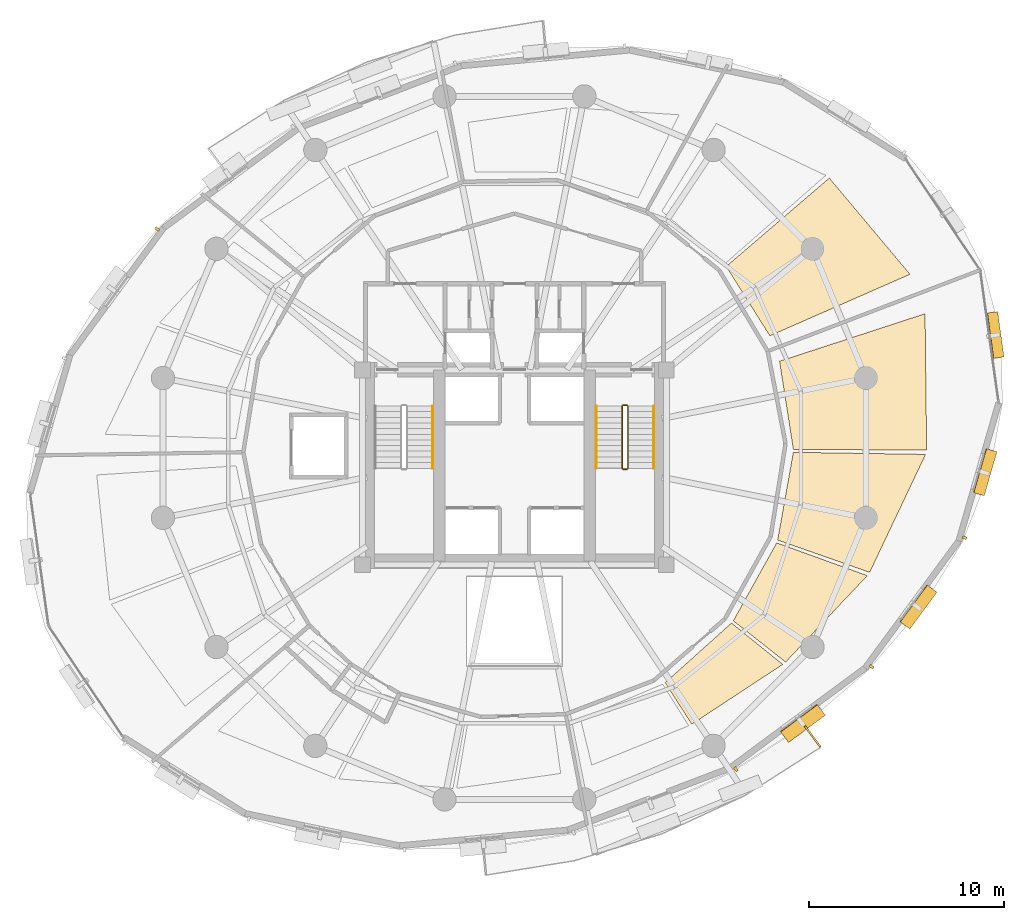
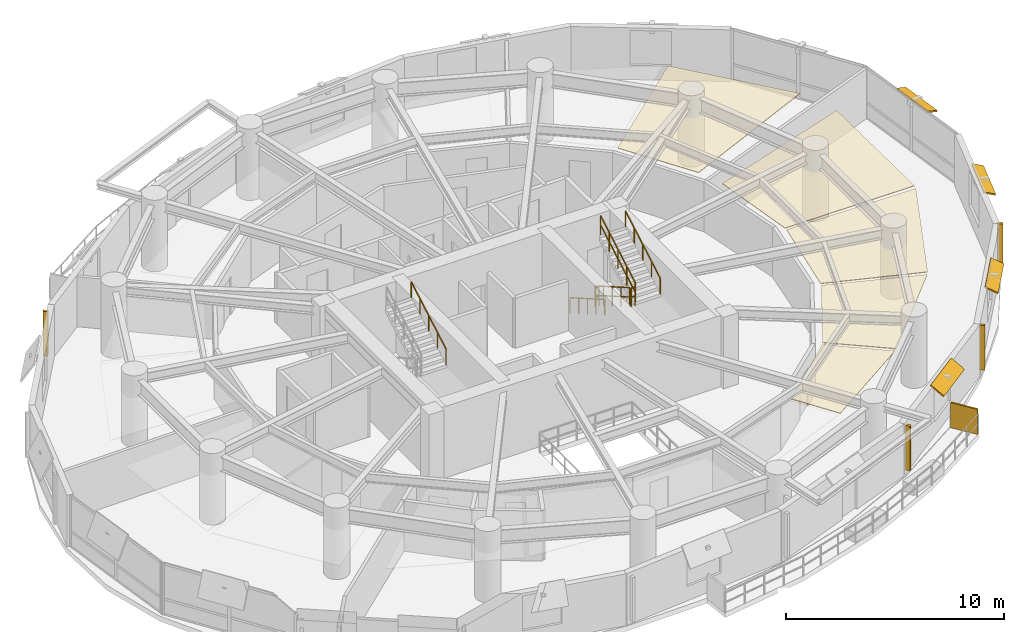
# One storey, part 14 of 15: 9 shading devices, 7 railings, 5 coverings.
"""IFC4 building model written with IfcOpenShell, lengths in metres."""

from ifc_helpers import new_model, si_unit, direction, frame, origin, origin_2d, place, context, subcontext, project, spatial, polyline, rectangle, outline, extrude, material, layer, layer_set, type_object, element, save


model = new_model("IFC4")

# Units and contexts
model_context = context("Model", 3, precision=1e-05, world=origin(), true_north=direction((0.0, 1.0)))
body_context = subcontext(model_context, "Body", "Model", "MODEL_VIEW")
ifc_project = project(units=[si_unit("LENGTHUNIT", "METRE"), si_unit("AREAUNIT", "SQUARE_METRE"), si_unit("VOLUMEUNIT", "CUBIC_METRE"), si_unit("PLANEANGLEUNIT", "RADIAN"), si_unit("MASSUNIT", "GRAM", prefix="KILO"), si_unit("THERMODYNAMICTEMPERATUREUNIT", "KELVIN"), si_unit("POWERUNIT", "WATT")], contexts=[model_context])

# Site, building, storey
site_placement = place(None, origin())
site = spatial("IfcSite", under=ifc_project, at=site_placement, CompositionType="ELEMENT")
building_placement = place(site_placement, origin())
building = spatial("IfcBuilding", under=site, at=building_placement, Name="Ocrelia Relay Tower", CompositionType="ELEMENT")
storey_placement = place(building_placement, frame((0.0, 0.0, 121.800048828125)))
storey = spatial("IfcBuildingStorey", under=building, at=storey_placement, Name="L28", CompositionType="ELEMENT", Elevation=121.800048828125)

# Coverings
ifc_material_1 = material(Name="Mineral-fiber acoustic ceiling tile", Category="gypsum")
ifc_layer_1 = layer(ifc_material_1, 0.0400390625, Name="Mineral-fiber acoustic ceiling tile")
ifc_layer_set_1 = layer_set([ifc_layer_1], Name="Mineral-fiber acoustic ceiling tile")
covering_type_1 = type_object("IfcCoveringType", Name="COV-CEIL-ACOUSTIC", PredefinedType="CEILING", material=ifc_layer_set_1)
covering_1_placement = place(storey_placement, frame((0.0, 0.0, 2.719970703125)))
element("IfcCovering", 1, at=covering_1_placement, inside=storey, type_object=covering_type_1, Name="L28 Technical Reference Library Suspended Ceiling 1", PredefinedType="CEILING", context=body_context, shape_type="SweptSolid", body=[
    extrude(outline(polyline([(47.1123046875, 31.755859375), (54.30908203125, 34.9150390625), (50.166015625, 39.85595703125), (44.872802734375, 35.319091796875), (47.1123046875, 31.755859375)])), origin(), (0.0, 0.0, 1.0), 0.0400390625),
])
ifc_material_2 = material(Name="Cleanroom metal-pan acoustic ceiling", Category="aluminium")
ifc_layer_2 = layer(ifc_material_2, 0.0400390625, Name="Cleanroom metal-pan acoustic ceiling")
ifc_layer_set_2 = layer_set([ifc_layer_2], Name="Cleanroom metal-pan acoustic ceiling")
covering_type_2 = type_object("IfcCoveringType", Name="COV-CEIL-CLEAN", PredefinedType="CEILING", material=ifc_layer_set_2)
covering_2_placement = place(storey_placement, frame((0.0, 0.0, 2.719970703125)))
element("IfcCovering", 2, at=covering_2_placement, inside=storey, type_object=covering_type_2, Name="L28 Optical Switching Hall A Suspended Ceiling 2", PredefinedType="CEILING", context=body_context, shape_type="SweptSolid", body=[
    extrude(outline(polyline([(41.736083984375, 13.94970703125), (43.10498046875, 11.8173828125), (47.775146484375, 14.884765625), (45.144287109375, 17.007568359375), (41.736083984375, 13.94970703125)])), origin(), (0.0, 0.0, 1.0), 0.0400390625),
])
covering_3_placement = place(storey_placement, frame((0.0, 0.0, 2.719970703125)))
element("IfcCovering", 3, at=covering_3_placement, inside=storey, type_object=covering_type_2, Name="L28 Optical Switching Hall A Suspended Ceiling 3", PredefinedType="CEILING", context=body_context, shape_type="SweptSolid", body=[
    extrude(outline(polyline([(45.238037109375, 17.124755859375), (47.922119140625, 15.005126953125), (52.1171875, 19.441650390625), (47.46484375, 21.125732421875), (45.238037109375, 17.124755859375)])), origin(), (0.0, 0.0, 1.0), 0.0400390625),
])
covering_4_placement = place(storey_placement, frame((0.0, 0.0, 2.719970703125)))
element("IfcCovering", 4, at=covering_4_placement, inside=storey, type_object=covering_type_2, Name="L28 Optical Switching Hall A Suspended Ceiling 4", PredefinedType="CEILING", context=body_context, shape_type="SweptSolid", body=[
    extrude(outline(polyline([(47.51513671875, 21.26708984375), (52.239501953125, 19.612548828125), (55.108642578125, 25.66845703125), (48.318115234375, 25.775146484375), (47.51513671875, 21.26708984375)])), origin(), (0.0, 0.0, 1.0), 0.0400390625),
])
covering_5_placement = place(storey_placement, frame((0.0, 0.0, 2.719970703125)))
element("IfcCovering", 5, at=covering_5_placement, inside=storey, type_object=covering_type_2, Name="L28 Optical Switching Hall A Suspended Ceiling 5", PredefinedType="CEILING", context=body_context, shape_type="SweptSolid", body=[
    extrude(outline(polyline([(48.31982421875, 25.925048828125), (55.16357421875, 25.88916015625), (55.082275390625, 32.890625), (47.611328125, 30.448974609375), (48.31982421875, 25.925048828125)])), origin(), (0.0, 0.0, 1.0), 0.0400390625),
])

# Railings
ifc_material_3 = material(Name="Steel S355 balustrade", Category="steel")
railing_type_1 = type_object("IfcRailingType", Name="RL-STAIR-GUARD", PredefinedType="GUARDRAIL", material=ifc_material_3)
railing_1_placement = place(storey_placement, frame((39.530029296875, 28.14990234375, 0.16650390625)))
element("IfcRailing", 6, at=railing_1_placement, inside=storey, type_object=railing_type_1, Name="L28 ST2 stair guard 1", PredefinedType="GUARDRAIL", context=body_context, shape_type="SweptSolid", body=[
    extrude(rectangle(XDim=0.048095703125, YDim=0.048095703125, at=origin_2d()), frame((0.0, 0.0, 1.076171875), z_axis=(0.0, -0.86699087805, 0.498324008431), x_axis=(1.0, 0.0, 0.0)), (0.0, 0.0, 1.0), 3.679443359375),
    extrude(rectangle(XDim=0.048095703125, YDim=0.048095703125, at=origin_2d()), frame((0.0, 0.0, 0.550048828125), z_axis=(0.0, -0.86699087805, 0.498324008431), x_axis=(1.0, 0.0, 0.0)), (0.0, 0.0, 1.0), 3.679443359375),
    extrude(rectangle(XDim=0.0419921875, YDim=0.0419921875, at=origin_2d()), origin(), (0.0, 0.0, 1.0), 1.052001953125),
    extrude(rectangle(XDim=0.0419921875, YDim=0.0419921875, at=origin_2d()), frame((0.0, -0.79736328125, 0.45849609375)), (0.0, 0.0, 1.0), 1.052001953125),
    extrude(rectangle(XDim=0.0419921875, YDim=0.0419921875, at=origin_2d()), frame((0.0, -1.594970703125, 0.916748046875)), (0.0, 0.0, 1.0), 1.052001953125),
    extrude(rectangle(XDim=0.0419921875, YDim=0.0419921875, at=origin_2d()), frame((0.0, -2.392578125, 1.375)), (0.0, 0.0, 1.0), 1.052001953125),
    extrude(rectangle(XDim=0.0419921875, YDim=0.0419921875, at=origin_2d()), frame((0.0, -3.18994140625, 1.83349609375)), (0.0, 0.0, 1.0), 1.052001953125),
])
railing_2_placement = place(storey_placement, frame((39.580078125, 24.909912109375, 2.0)))
element("IfcRailing", 7, at=railing_2_placement, inside=storey, type_object=railing_type_1, Name="L28 ST2 stair guard 2", PredefinedType="GUARDRAIL", context=body_context, shape_type="SweptSolid", body=[
    extrude(rectangle(XDim=0.048095703125, YDim=0.048095703125, at=origin_2d()), frame((0.0, 0.0, 1.076171875), z_axis=(1.0, 0.0, 0.0), x_axis=(0.0, 1.0, 0.0)), (0.0, 0.0, 1.0), 0.199951171875),
    extrude(rectangle(XDim=0.048095703125, YDim=0.048095703125, at=origin_2d()), frame((0.0, 0.0, 0.550048828125), z_axis=(1.0, 0.0, 0.0), x_axis=(0.0, 1.0, 0.0)), (0.0, 0.0, 1.0), 0.199951171875),
    extrude(rectangle(XDim=0.0419921875, YDim=0.0419921875, at=origin_2d()), origin(), (0.0, 0.0, 1.0), 1.052001953125),
    extrude(rectangle(XDim=0.0419921875, YDim=0.0419921875, at=origin_2d()), frame((0.199951171875, 0.0, 0.0)), (0.0, 0.0, 1.0), 1.052001953125),
])
railing_3_placement = place(storey_placement, frame((39.830078125, 24.9599609375, 2.16650390625)))
element("IfcRailing", 8, at=railing_3_placement, inside=storey, type_object=railing_type_1, Name="L28 ST2 stair guard 3", PredefinedType="GUARDRAIL", context=body_context, shape_type="SweptSolid", body=[
    extrude(rectangle(XDim=0.048095703125, YDim=0.048095703125, at=origin_2d()), frame((0.0, 0.0, 1.076171875), z_axis=(0.0, 0.86699087805, 0.498324008431), x_axis=(-1.0, 0.0, 0.0)), (0.0, 0.0, 1.0), 3.679443359375),
    extrude(rectangle(XDim=0.048095703125, YDim=0.048095703125, at=origin_2d()), frame((0.0, 0.0, 0.550048828125), z_axis=(0.0, 0.86699087805, 0.498324008431), x_axis=(-1.0, 0.0, 0.0)), (0.0, 0.0, 1.0), 3.679443359375),
    extrude(rectangle(XDim=0.0419921875, YDim=0.0419921875, at=origin_2d()), origin(), (0.0, 0.0, 1.0), 1.052001953125),
    extrude(rectangle(XDim=0.0419921875, YDim=0.0419921875, at=origin_2d()), frame((0.0, 0.79736328125, 0.45849609375)), (0.0, 0.0, 1.0), 1.052001953125),
    extrude(rectangle(XDim=0.0419921875, YDim=0.0419921875, at=origin_2d()), frame((0.0, 1.594970703125, 0.916748046875)), (0.0, 0.0, 1.0), 1.052001953125),
    extrude(rectangle(XDim=0.0419921875, YDim=0.0419921875, at=origin_2d()), frame((0.0, 2.392578125, 1.375)), (0.0, 0.0, 1.0), 1.052001953125),
    extrude(rectangle(XDim=0.0419921875, YDim=0.0419921875, at=origin_2d()), frame((0.0, 3.18994140625, 1.83349609375)), (0.0, 0.0, 1.0), 1.052001953125),
])
railing_4_placement = place(storey_placement, frame((39.580078125, 28.199951171875, 0.0)))
element("IfcRailing", 9, at=railing_4_placement, inside=storey, type_object=railing_type_1, Name="L28 ST2 stair guard 4", PredefinedType="GUARDRAIL", context=body_context, shape_type="SweptSolid", body=[
    extrude(rectangle(XDim=0.048095703125, YDim=0.048095703125, at=origin_2d()), frame((0.0, 0.0, 1.076171875), z_axis=(1.0, 0.0, 0.0), x_axis=(0.0, 1.0, 0.0)), (0.0, 0.0, 1.0), 0.199951171875),
    extrude(rectangle(XDim=0.048095703125, YDim=0.048095703125, at=origin_2d()), frame((0.0, 0.0, 0.550048828125), z_axis=(1.0, 0.0, 0.0), x_axis=(0.0, 1.0, 0.0)), (0.0, 0.0, 1.0), 0.199951171875),
    extrude(rectangle(XDim=0.0419921875, YDim=0.0419921875, at=origin_2d()), origin(), (0.0, 0.0, 1.0), 1.052001953125),
    extrude(rectangle(XDim=0.0419921875, YDim=0.0419921875, at=origin_2d()), frame((0.199951171875, 0.0, 0.0)), (0.0, 0.0, 1.0), 1.052001953125),
])
ifc_material_4 = material(Name="Steel S355 tubular handrail", Category="steel")
railing_type_2 = type_object("IfcRailingType", Name="RL-STAIR-HAND", PredefinedType="HANDRAIL", material=ifc_material_4)
railing_5_placement = place(storey_placement, frame((29.800048828125, 24.9599609375, 2.16650390625)))
element("IfcRailing", 10, at=railing_5_placement, inside=storey, type_object=railing_type_2, Name="L28 ST1 stair handrail 2", PredefinedType="HANDRAIL", context=body_context, shape_type="SweptSolid", body=[
    extrude(rectangle(XDim=0.048095703125, YDim=0.048095703125, at=origin_2d()), frame((0.0, 0.0, 0.8759765625), z_axis=(0.0, 0.86699087805, 0.498324008431), x_axis=(-1.0, 0.0, 0.0)), (0.0, 0.0, 1.0), 3.679443359375),
    extrude(rectangle(XDim=0.0419921875, YDim=0.0419921875, at=origin_2d()), origin(), (0.0, 0.0, 1.0), 0.851806640625),
    extrude(rectangle(XDim=0.0419921875, YDim=0.0419921875, at=origin_2d()), frame((0.0, 0.79736328125, 0.45849609375)), (0.0, 0.0, 1.0), 0.851806640625),
    extrude(rectangle(XDim=0.0419921875, YDim=0.0419921875, at=origin_2d()), frame((0.0, 1.594970703125, 0.916748046875)), (0.0, 0.0, 1.0), 0.851806640625),
    extrude(rectangle(XDim=0.0419921875, YDim=0.0419921875, at=origin_2d()), frame((0.0, 2.392578125, 1.375)), (0.0, 0.0, 1.0), 0.851806640625),
    extrude(rectangle(XDim=0.0419921875, YDim=0.0419921875, at=origin_2d()), frame((0.0, 3.18994140625, 1.83349609375)), (0.0, 0.0, 1.0), 0.851806640625),
])
railing_6_placement = place(storey_placement, frame((38.2099609375, 28.14990234375, 0.16650390625)))
element("IfcRailing", 11, at=railing_6_placement, inside=storey, type_object=railing_type_2, Name="L28 ST2 stair handrail 1", PredefinedType="HANDRAIL", context=body_context, shape_type="SweptSolid", body=[
    extrude(rectangle(XDim=0.048095703125, YDim=0.048095703125, at=origin_2d()), frame((0.0, 0.0, 0.8759765625), z_axis=(0.0, -0.86699087805, 0.498324008431), x_axis=(1.0, 0.0, 0.0)), (0.0, 0.0, 1.0), 3.679443359375),
    extrude(rectangle(XDim=0.0419921875, YDim=0.0419921875, at=origin_2d()), origin(), (0.0, 0.0, 1.0), 0.851806640625),
    extrude(rectangle(XDim=0.0419921875, YDim=0.0419921875, at=origin_2d()), frame((0.0, -0.79736328125, 0.45849609375)), (0.0, 0.0, 1.0), 0.851806640625),
    extrude(rectangle(XDim=0.0419921875, YDim=0.0419921875, at=origin_2d()), frame((0.0, -1.594970703125, 0.916748046875)), (0.0, 0.0, 1.0), 0.851806640625),
    extrude(rectangle(XDim=0.0419921875, YDim=0.0419921875, at=origin_2d()), frame((0.0, -2.392578125, 1.375)), (0.0, 0.0, 1.0), 0.851806640625),
    extrude(rectangle(XDim=0.0419921875, YDim=0.0419921875, at=origin_2d()), frame((0.0, -3.18994140625, 1.83349609375)), (0.0, 0.0, 1.0), 0.851806640625),
])
railing_7_placement = place(storey_placement, frame((41.14990234375, 24.9599609375, 2.16650390625)))
element("IfcRailing", 12, at=railing_7_placement, inside=storey, type_object=railing_type_2, Name="L28 ST2 stair handrail 2", PredefinedType="HANDRAIL", context=body_context, shape_type="SweptSolid", body=[
    extrude(rectangle(XDim=0.048095703125, YDim=0.048095703125, at=origin_2d()), frame((0.0, 0.0, 0.8759765625), z_axis=(0.0, 0.86699087805, 0.498324008431), x_axis=(-1.0, 0.0, 0.0)), (0.0, 0.0, 1.0), 3.679443359375),
    extrude(rectangle(XDim=0.0419921875, YDim=0.0419921875, at=origin_2d()), origin(), (0.0, 0.0, 1.0), 0.851806640625),
    extrude(rectangle(XDim=0.0419921875, YDim=0.0419921875, at=origin_2d()), frame((0.0, 0.79736328125, 0.45849609375)), (0.0, 0.0, 1.0), 0.851806640625),
    extrude(rectangle(XDim=0.0419921875, YDim=0.0419921875, at=origin_2d()), frame((0.0, 1.594970703125, 0.916748046875)), (0.0, 0.0, 1.0), 0.851806640625),
    extrude(rectangle(XDim=0.0419921875, YDim=0.0419921875, at=origin_2d()), frame((0.0, 2.392578125, 1.375)), (0.0, 0.0, 1.0), 0.851806640625),
    extrude(rectangle(XDim=0.0419921875, YDim=0.0419921875, at=origin_2d()), frame((0.0, 3.18994140625, 1.83349609375)), (0.0, 0.0, 1.0), 0.851806640625),
])

# Shading devices
ifc_material_5 = material(Name="Perforated oxide terracotta solar screen", Category="masonry")
ifc_layer_3 = layer(ifc_material_5, 0.090087890625, Name="Perforated oxide terracotta solar screen")
ifc_layer_set_3 = layer_set([ifc_layer_3], Name="Perforated oxide terracotta solar screen")
shading_device_type_1 = type_object("IfcShadingDeviceType", Name="SH-BALC-SCREEN", PredefinedType="USERDEFINED", material=ifc_layer_set_3)
shading_device_1_placement = place(storey_placement, frame((49.31396484375, 11.182373046875, 0.0), z_axis=(0.0, 0.0, 1.0), x_axis=(0.595639367279, -0.803251980482, 0.0)))
element("IfcShadingDevice", 13, at=shading_device_1_placement, inside=storey, type_object=shading_device_type_1, Name="L28 Balcony Perforated Terracotta Screen B2-2", ObjectType="SCREEN", PredefinedType="USERDEFINED", context=body_context, shape_type="SweptSolid", body=[
    extrude(rectangle(XDim=1.340087890625, YDim=0.090087890625, at=origin_2d()), origin(), (0.0, 0.0, 1.0), 1.39990234375),
])
ifc_material_6 = material(Name="Extruded oxide terracotta vertical baguette", Category="masonry")
shading_device_type_2 = type_object("IfcShadingDeviceType", Name="SH-TERR-BAGUETTE", PredefinedType="USERDEFINED", material=ifc_material_6)
for number, where, z_axis, x_axis, name in (
    (14, (15.659423828125, 37.234130859375, 0.199951171875), (0.0, 0.0, 1.0), (-0.593171226591, -0.805076329266, 0.0), "L28 Oxide Terracotta Vertical Baguette 07"),
    (15, (45.368408203125, 9.51123046875, 0.199951171875), (0.0, 0.0, 1.0), (0.804153616363, 0.594421535016, 0.0), "L28 Oxide Terracotta Vertical Baguette 15"),
    (16, (52.340576171875, 14.765869140625, 0.199951171875), (0.0, 0.0, 1.0), (0.593171226591, 0.805076329266, 0.0), "L28 Oxide Terracotta Vertical Baguette 16"),
    (17, (57.1025390625, 21.392822265625, 0.199951171875), (0.0, 0.0, 1.0), (0.277641047017, 0.960684885387, 0.0), "L28 Oxide Terracotta Vertical Baguette 17"),
):
    element("IfcShadingDevice", number, at=place(storey_placement, frame(where, z_axis=z_axis, x_axis=x_axis)), inside=storey, type_object=shading_device_type_2, Name=name, ObjectType="BAGUETTE", PredefinedType="USERDEFINED", context=body_context, shape_type="SweptSolid", body=[
        extrude(rectangle(XDim=0.139892578125, YDim=0.239990234375, at=origin_2d()), origin(), (0.0, 0.0, 1.0), 2.5),
    ])
ifc_material_7 = material(Name="Extruded oxide terracotta fin", Category="masonry")
ifc_layer_4 = layer(ifc_material_7, 0.080078125, Name="Extruded oxide terracotta fin")
ifc_layer_set_4 = layer_set([ifc_layer_4], Name="Extruded oxide terracotta fin")
shading_device_type_3 = type_object("IfcShadingDeviceType", Name="SH-VISOR-FIN-MED", PredefinedType="USERDEFINED", material=ifc_layer_set_4)
shading_device_2_placement = place(storey_placement, frame((48.791748046875, 11.8828125, 2.70654296875), z_axis=(0.326090806174, -0.441146704149, 0.83609471446), x_axis=(0.804153616363, 0.594421535016, 0.0)))
element("IfcShadingDevice", 18, at=shading_device_2_placement, inside=storey, type_object=shading_device_type_3, Name="L28 Canted Terracotta Sun-Visor Fin 15", ObjectType="FIN", PredefinedType="USERDEFINED", context=body_context, shape_type="SweptSolid", body=[
    extrude(rectangle(XDim=2.35009765625, YDim=0.804931640625, at=origin_2d()), origin(), (0.0, 0.0, 1.0), 0.080078125),
])
ifc_layer_5 = layer(ifc_material_7, 0.080078125, Name="Extruded oxide terracotta fin")
ifc_layer_set_5 = layer_set([ifc_layer_5], Name="Extruded oxide terracotta fin")
shading_device_type_4 = type_object("IfcShadingDeviceType", Name="SH-VISOR-FIN-SHAL", PredefinedType="USERDEFINED", material=ifc_layer_set_5)
shading_device_3_placement = place(storey_placement, frame((54.724853515625, 17.85009765625, 2.703857421875), z_axis=(0.346213772959, -0.25508643206, 0.902810575698), x_axis=(0.593171226591, 0.805076329266, 0.0)))
element("IfcShadingDevice", 19, at=shading_device_3_placement, inside=storey, type_object=shading_device_type_4, Name="L28 Canted Terracotta Sun-Visor Fin 16", ObjectType="FIN", PredefinedType="USERDEFINED", context=body_context, shape_type="SweptSolid", body=[
    extrude(rectangle(XDim=2.35009765625, YDim=0.675048828125, at=origin_2d()), origin(), (0.0, 0.0, 1.0), 0.080078125),
])
shading_device_4_placement = place(storey_placement, frame((58.15283203125, 24.759765625, 2.70263671875), z_axis=(0.341145891481, -0.098592268846, 0.934825676396), x_axis=(0.277641047017, 0.960684885387, 0.0)))
element("IfcShadingDevice", 20, at=shading_device_4_placement, inside=storey, type_object=shading_device_type_4, Name="L28 Canted Terracotta Sun-Visor Fin 17", ObjectType="FIN", PredefinedType="USERDEFINED", context=body_context, shape_type="SweptSolid", body=[
    extrude(rectangle(XDim=2.35009765625, YDim=0.596923828125, at=origin_2d()), origin(), (0.0, 0.0, 1.0), 0.080078125),
])
shading_device_5_placement = place(storey_placement, frame((58.685302734375, 31.79638671875, 2.701904296875), z_axis=(0.314433429302, 0.043805529053, 0.948268260653), x_axis=(-0.137983136196, 0.990434578418, 0.0)))
element("IfcShadingDevice", 21, at=shading_device_5_placement, inside=storey, type_object=shading_device_type_4, Name="L28 Canted Terracotta Sun-Visor Fin 18", ObjectType="FIN", PredefinedType="USERDEFINED", context=body_context, shape_type="SweptSolid", body=[
    extrude(rectangle(XDim=2.35009765625, YDim=0.55810546875, at=origin_2d()), origin(), (0.0, 0.0, 1.0), 0.080078125),
])

save(model, "model.ifc")
